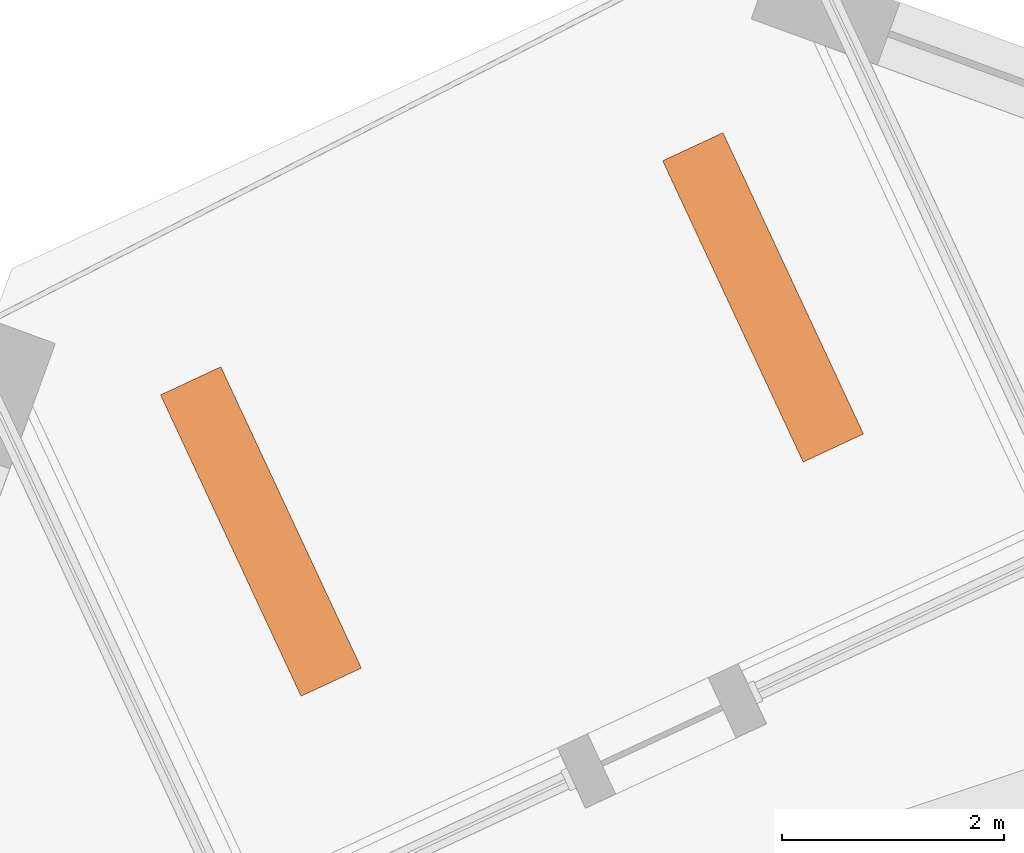
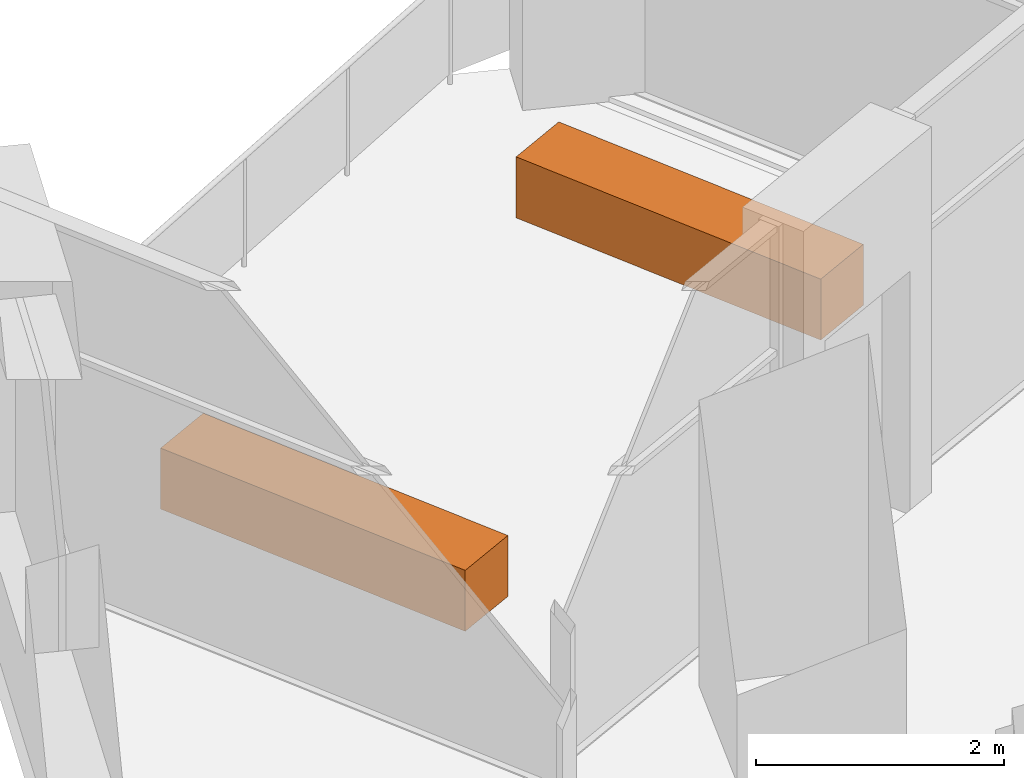
# One storey, part 13 of 13: 2 proxies.
"""IFC4 building model written with IfcOpenShell, lengths in metres."""

import ifcopenshell
import ifcopenshell.guid

model = None  # the IFC model being written
_history = None  # IfcOwnerHistory: only IFC2X3 demands one
_inside = {}  # id of a spatial element -> (the spatial element, [elements in it])
_under = {}  # id of a project, library or spatial element -> (it, [spatial elements below it])
_declared = {}  # id of a project -> (the project, [libraries it declares])
_typed = {}  # id of a type object -> (the type object, [elements of that type])
_made_of = {}  # id of a material, layer set ... -> (it, [elements and type objects made of it])


def new_model(schema):
    """Start an empty IFC model of exactly this schema.

    Asked for "IFC4X3", IfcOpenShell would pick the latest addendum, in which some entities
    have other attributes; the version numbers below select the first issue.
    IFC2X3 requires an IfcOwnerHistory on every rooted entity: one is made here for all.
    """
    global model, _history
    if schema == "IFC4X3":
        model = ifcopenshell.file(schema_version=(4, 3, 0, 0))
    else:
        model = ifcopenshell.file(schema=schema)
    _inside.clear()
    _under.clear()
    _declared.clear()
    _typed.clear()
    _made_of.clear()
    _history = None
    if model.schema == "IFC2X3":
        org = make("IfcOrganization", Name="unknown")
        user = make(
            "IfcPersonAndOrganization",
            ThePerson=make("IfcPerson", FamilyName="unknown"),
            TheOrganization=org,
        )
        app = make(
            "IfcApplication",
            ApplicationDeveloper=org,
            Version="unknown",
            ApplicationFullName="unknown",
            ApplicationIdentifier="unknown",
        )
        _history = make(
            "IfcOwnerHistory",
            OwningUser=user,
            OwningApplication=app,
            ChangeAction="ADDED",
            CreationDate=0,
        )
    return model


def make(cls, **values):
    """One entity of the class cls with the attributes given. An attribute that is None is left unset."""
    return model.create_entity(
        cls, **{name: value for name, value in values.items() if value is not None}
    )


def rooted(cls, **values):
    """An entity with a GlobalId (a new one), such as an element, a storey or a relation."""
    return make(cls, GlobalId=ifcopenshell.guid.new(), OwnerHistory=_history, **values)


def si_unit(unit_type, name, prefix=None):
    """IfcSIUnit, for example si_unit("LENGTHUNIT", "METRE", prefix="MILLI")."""
    return make("IfcSIUnit", UnitType=unit_type, Prefix=prefix, Name=name)


def assignment(units):
    """IfcUnitAssignment: the units of a project."""
    return None if units is None else make("IfcUnitAssignment", Units=units)


def point(xyz):
    """IfcCartesianPoint."""
    return None if xyz is None else make("IfcCartesianPoint", Coordinates=xyz)


def direction(xyz):
    """IfcDirection."""
    return None if xyz is None else make("IfcDirection", DirectionRatios=xyz)


def frame(location, z_axis=None, x_axis=None):
    """IfcAxis2Placement3D, a coordinate frame: its origin and axes. An axis left out is left unset."""
    return make(
        "IfcAxis2Placement3D",
        Location=point(location),
        Axis=direction(z_axis),
        RefDirection=direction(x_axis),
    )


def frame_2d(location, x_axis=None):
    """IfcAxis2Placement2D, a coordinate frame in the plane: its origin and x axis."""
    return make(
        "IfcAxis2Placement2D", Location=point(location), RefDirection=direction(x_axis)
    )


def origin():
    """The frame at (0, 0, 0) with its axes left unset."""
    return frame((0.0, 0.0, 0.0))


def origin_2d():
    """The frame at (0, 0) in the plane with its x axis left unset."""
    return frame_2d((0.0, 0.0))


def place(relative_to, where):
    """IfcLocalPlacement: puts the frame where relative to a parent placement (None: the world)."""
    return make(
        "IfcLocalPlacement", PlacementRelTo=relative_to, RelativePlacement=where
    )


def context(
    kind, dimensions, precision=None, world=None, true_north=None, identifier=None
):
    """IfcGeometricRepresentationContext, for example the 3D "Model" context."""
    return make(
        "IfcGeometricRepresentationContext",
        ContextIdentifier=identifier,
        ContextType=kind,
        CoordinateSpaceDimension=dimensions,
        Precision=precision,
        WorldCoordinateSystem=world,
        TrueNorth=true_north,
    )


def subcontext(parent, identifier, kind, view, scale=None):
    """IfcGeometricRepresentationSubContext, for example "Body" below "Model"."""
    return make(
        "IfcGeometricRepresentationSubContext",
        ContextIdentifier=identifier,
        ContextType=kind,
        ParentContext=parent,
        TargetScale=scale,
        TargetView=view,
    )


def project(units=None, contexts=None):
    """IfcProject with its units and contexts."""
    return rooted(
        "IfcProject",
        Name="project",
        RepresentationContexts=contexts,
        UnitsInContext=assignment(units),
    )


def spatial(cls, under=None, at=None, **own):
    """A site, building, storey or space (cls), placed at a placement, below another one or the project."""
    s = rooted(cls, ObjectPlacement=at, **own)
    if under is not None:
        _under.setdefault(under.id(), (under, []))[1].append(s)
    return s


def profile(cls, at=None, kind="AREA", **sizes):
    """A parametric profile (cls). Its sizes go by their IFC names, for example OverallWidth=200.0."""
    return make(cls, ProfileType=kind, Position=at, **sizes)


def rectangle(**sizes):
    """IfcRectangleProfileDef."""
    return profile("IfcRectangleProfileDef", **sizes)


def extrude(swept, where, along, depth):
    """IfcExtrudedAreaSolid: the profile swept, set in the frame where, extruded along a direction by depth."""
    return make(
        "IfcExtrudedAreaSolid",
        SweptArea=swept,
        Position=where,
        ExtrudedDirection=direction(along),
        Depth=depth,
    )


def shape(context_of_items, identifier, shape_type, items):
    """IfcShapeRepresentation: the items that make up one representation, for example the "Body"."""
    return make(
        "IfcShapeRepresentation",
        ContextOfItems=context_of_items,
        RepresentationIdentifier=identifier,
        RepresentationType=shape_type,
        Items=items,
    )


def made_of(thing, what):
    """Note that an element or type object is made of a material, layer set ...; save() writes the relation."""
    if what is not None:
        _made_of.setdefault(what.id(), (what, []))[1].append(thing)
    return thing


def element(
    cls,
    number,
    at=None,
    inside=None,
    cuts=None,
    type_object=None,
    material=None,
    context=None,
    identifier="Body",
    shape_type=None,
    held_by="IfcProductDefinitionShape",
    body=None,
    shapes=None,
    **own,
):
    """One element of the class cls, such as IfcWall. Its Tag is "e" and its number.

    at: its placement. inside: the storey or other place that contains it. cuts: it is an
    opening in that element (IfcRelVoidsElement). A single representation is given by context,
    identifier, shape_type and body (its items); several are given by shapes. held_by: the class
    of the entity that holds the representations. save() writes the other relations.
    """
    e = rooted(cls, Tag="e%d" % number, ObjectPlacement=at, **own)
    if body is not None:
        shapes = [shape(context, identifier, shape_type, body)]
    if shapes is not None:
        e.Representation = make(held_by, Representations=shapes)
    if inside is not None:
        _inside.setdefault(inside.id(), (inside, []))[1].append(e)
    if cuts is not None:
        rooted(
            "IfcRelVoidsElement", RelatingBuildingElement=cuts, RelatedOpeningElement=e
        )
    if type_object is not None:
        _typed.setdefault(type_object.id(), (type_object, []))[1].append(e)
    return made_of(e, material)


def aggregate(whole, parts):
    """IfcRelAggregates: a whole, such as a stair, and the parts it consists of."""
    return rooted("IfcRelAggregates", RelatingObject=whole, RelatedObjects=parts)


def save(model, path):
    """Write the relations noted so far, then the file.

    IfcRelAggregates (storeys below a building ...), IfcRelContainedInSpatialStructure (elements
    in a storey), IfcRelDefinesByType, IfcRelAssociatesMaterial and IfcRelDeclares: one each for
    every whole, place, type object, material and project.
    """
    for whole, parts in _under.values():
        aggregate(whole, parts)
    for where, things in _inside.values():
        rooted(
            "IfcRelContainedInSpatialStructure",
            RelatedElements=things,
            RelatingStructure=where,
        )
    for kind, things in _typed.values():
        rooted("IfcRelDefinesByType", RelatedObjects=things, RelatingType=kind)
    for what, things in _made_of.values():
        rooted("IfcRelAssociatesMaterial", RelatedObjects=things, RelatingMaterial=what)
    for by, libraries in _declared.values():
        rooted("IfcRelDeclares", RelatingContext=by, RelatedDefinitions=libraries)
    model.write(path)


model = new_model("IFC4")

# Units and contexts
model_context = context("Model", 3, precision=1e-05, world=origin(), true_north=direction((0.0, 1.0)))
body_context = subcontext(model_context, "Body", "Model", "MODEL_VIEW")
ifc_project = project(units=[si_unit("LENGTHUNIT", "METRE"), si_unit("AREAUNIT", "SQUARE_METRE"), si_unit("VOLUMEUNIT", "CUBIC_METRE"), si_unit("PLANEANGLEUNIT", "RADIAN"), si_unit("MASSUNIT", "GRAM", prefix="KILO")], contexts=[model_context])

# Site, building, storey
site_placement = place(None, origin())
site = spatial("IfcSite", under=ifc_project, at=site_placement, CompositionType="ELEMENT")
building_placement = place(site_placement, origin())
building = spatial("IfcBuilding", under=site, at=building_placement, Name="Dilmun Exchange Tower", CompositionType="ELEMENT")
storey_placement = place(building_placement, frame((0.0, 0.0, 308.5)))
storey = spatial("IfcBuildingStorey", under=building, at=storey_placement, Name="L73", CompositionType="ELEMENT", Elevation=308.5)

# Proxies
for number, where, z_axis, x_axis, name in (
    (1, (-10.041015625, 32.468017578125, 0.0), (0.0, 0.0, 1.0), (-0.422618261741, 0.906307787037, 0.0), "PLANTER Desert shrub L73.1"),
    (2, (-14.572509765625, 30.35498046875, 0.0), (0.0, 0.0, 1.0), (-0.422618261741, 0.906307787037, 0.0), "PLANTER Desert shrub L73.2"),
):
    element("IfcBuildingElementProxy", number, at=place(storey_placement, frame(where, z_axis=z_axis, x_axis=x_axis)), inside=storey, Name=name, ObjectType="PLANTER", PredefinedType="USERDEFINED", context=body_context, shape_type="SweptSolid", body=[
        extrude(rectangle(XDim=3.0, YDim=0.60009765625, at=origin_2d()), origin(), (0.0, 0.0, 1.0), 0.60009765625),
    ])

save(model, "model.ifc")
